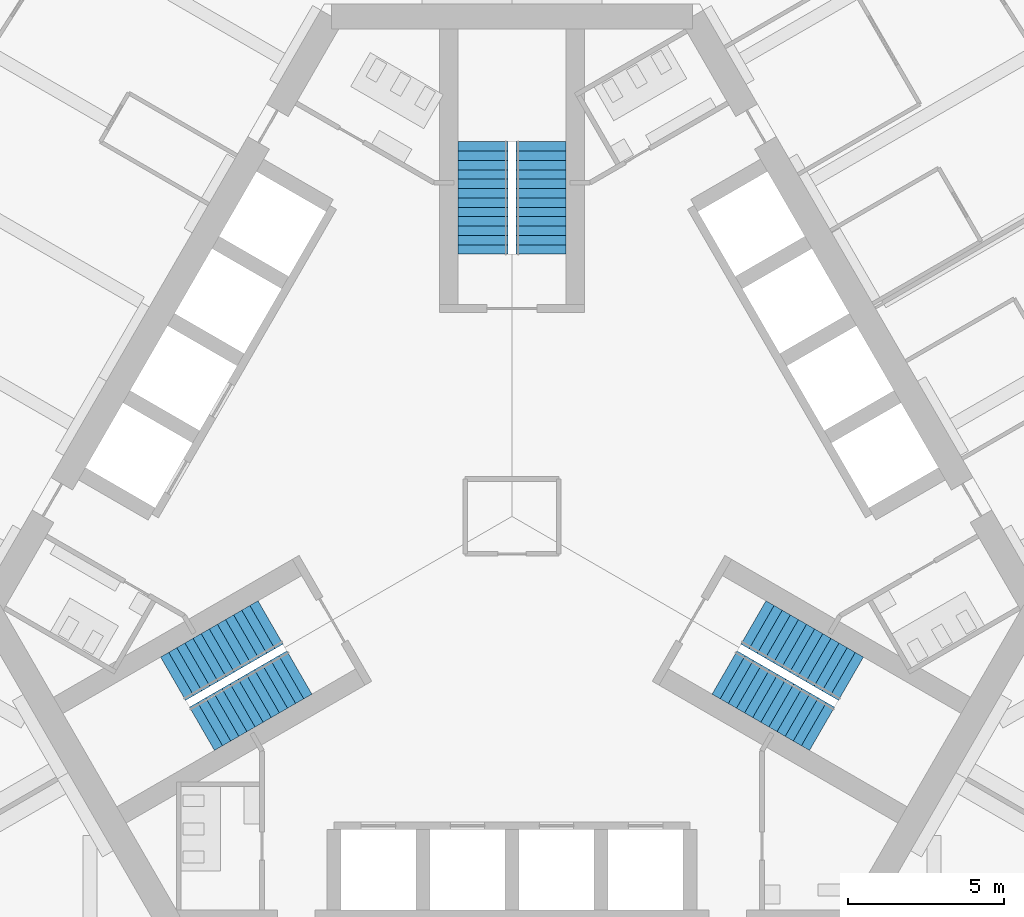
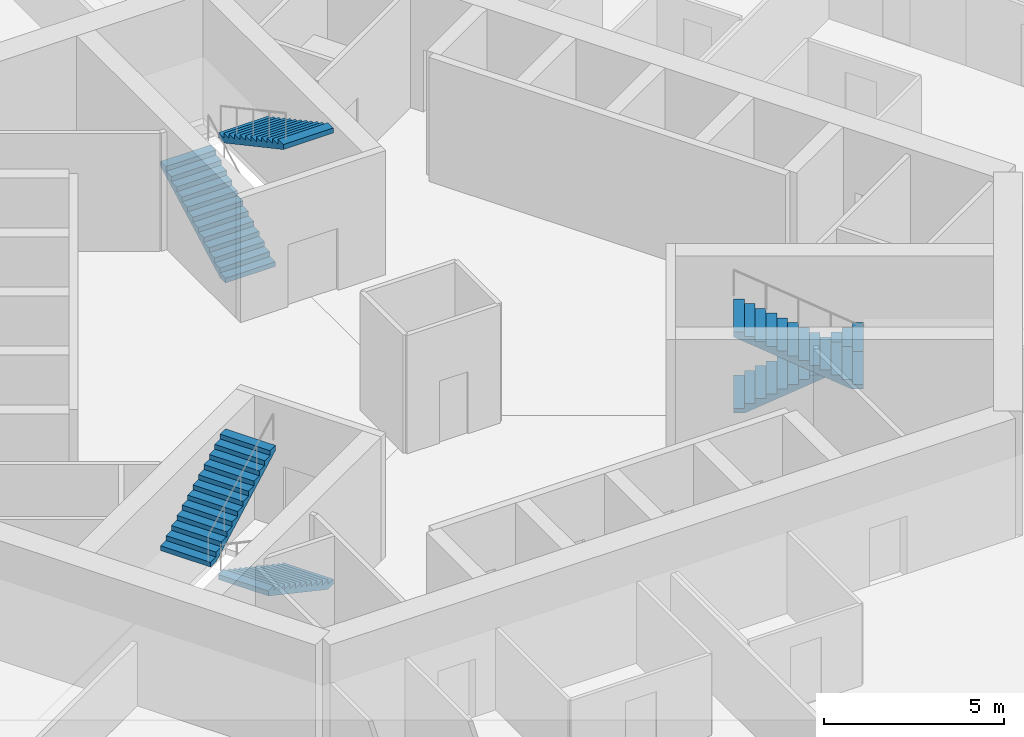
# One storey, part 14 of 19: 6 stair flights, 3 elements without a shape of their own.
"""IFC4 building model written with IfcOpenShell, lengths in metres."""

from ifc_helpers import new_model, si_unit, direction, frame, origin, place, context, subcontext, project, spatial, polyline, outline, extrude, material, type_object, element, aggregate, save


model = new_model("IFC4")

# Units and contexts
model_context = context("Model", 3, precision=1e-05, world=origin(), true_north=direction((0.0, 1.0)))
body_context = subcontext(model_context, "Body", "Model", "MODEL_VIEW")
ifc_project = project(units=[si_unit("LENGTHUNIT", "METRE"), si_unit("AREAUNIT", "SQUARE_METRE"), si_unit("VOLUMEUNIT", "CUBIC_METRE"), si_unit("PLANEANGLEUNIT", "RADIAN"), si_unit("MASSUNIT", "GRAM", prefix="KILO")], contexts=[model_context])

# Site, building, storey
site_placement = place(None, origin())
site = spatial("IfcSite", under=ifc_project, at=site_placement, CompositionType="ELEMENT")
building_placement = place(site_placement, origin())
building = spatial("IfcBuilding", under=site, at=building_placement, Name="Trefoil Bronze Tower", CompositionType="ELEMENT")
storey_placement = place(building_placement, frame((0.0, 0.0, 79.5)))
storey = spatial("IfcBuildingStorey", under=building, at=storey_placement, Name="L18", CompositionType="ELEMENT", Elevation=79.5)

# Stair, stair flights
ifc_material_1 = material(Name="Precast concrete B80", Category="concrete")
stair_type = type_object("IfcStairType", Name="Exit stair 26 risers", PredefinedType="HALF_TURN_STAIR", material=ifc_material_1)
stair_1_placement = place(storey_placement, origin())
stair_1 = element("IfcStair", 1, at=stair_1_placement, inside=storey, type_object=stair_type, Name="Stair ST1 L18", PredefinedType="HALF_TURN_STAIR")
ifc_material_2 = material(Name="Precast concrete B80", Category="concrete")
stair_flight_type = type_object("IfcStairFlightType", Name="Stair flight 1600", PredefinedType="STRAIGHT", material=ifc_material_2)
stair_flight_1_placement = place(storey_placement, frame((7.728515625, -3.39404296875, 0.0), z_axis=(0.0, 0.0, 1.0), x_axis=(0.866025403784, -0.5, 0.0)))
stair_flight_1 = element("IfcStairFlight", 2, at=stair_flight_1_placement, type_object=stair_flight_type, Name="ST1 flight 1", NumberOfRisers=13, NumberOfTreads=12, PredefinedType="STRAIGHT", RiserHeight=0.161538462, TreadLength=0.3, context=body_context, shape_type="SweptSolid", body=[
    extrude(outline(polyline([(0.0, 0.0), (0.0, 0.16162109375), (0.300048828125, 0.16162109375), (0.300048828125, 0.322998046875), (0.60009765625, 0.322998046875), (0.60009765625, 0.484619140625), (0.89990234375, 0.484619140625), (0.89990234375, 0.646240234375), (1.199951171875, 0.646240234375), (1.199951171875, 0.8076171875), (1.5, 0.8076171875), (1.5, 0.96923828125), (1.800048828125, 0.96923828125), (1.800048828125, 1.130859375), (2.10009765625, 1.130859375), (2.10009765625, 1.292236328125), (2.39990234375, 1.292236328125), (2.39990234375, 1.453857421875), (2.699951171875, 1.453857421875), (2.699951171875, 1.615478515625), (3.0, 1.615478515625), (3.0, 1.77685546875), (3.300048828125, 1.77685546875), (3.300048828125, 1.9384765625), (3.60009765625, 1.9384765625), (3.60009765625, 2.10009765625), (3.60009765625, 1.768310546875), (0.316162109375, 0.0), (0.0, 0.0)])), frame((0.0, 0.800048828125, 0.0), z_axis=(0.0, -1.0, 0.0), x_axis=(1.0, 0.0, 0.0)), (0.0, 0.0, 1.0), 1.60009765625),
])
stair_flight_2_placement = place(storey_placement, frame((9.921142578125, -6.796142578125, 2.10009765625), z_axis=(0.0, 0.0, 1.0), x_axis=(-0.866025403784, 0.5, 0.0)))
stair_flight_2 = element("IfcStairFlight", 3, at=stair_flight_2_placement, type_object=stair_flight_type, Name="ST1 flight 2", NumberOfRisers=13, NumberOfTreads=12, PredefinedType="STRAIGHT", RiserHeight=0.161538462, TreadLength=0.3, context=body_context, shape_type="SweptSolid", body=[
    extrude(outline(polyline([(0.0, 0.0), (0.0, 0.16162109375), (0.300048828125, 0.16162109375), (0.300048828125, 0.322998046875), (0.60009765625, 0.322998046875), (0.60009765625, 0.484619140625), (0.89990234375, 0.484619140625), (0.89990234375, 0.646240234375), (1.199951171875, 0.646240234375), (1.199951171875, 0.8076171875), (1.5, 0.8076171875), (1.5, 0.96923828125), (1.800048828125, 0.96923828125), (1.800048828125, 1.130859375), (2.10009765625, 1.130859375), (2.10009765625, 1.292236328125), (2.39990234375, 1.292236328125), (2.39990234375, 1.453857421875), (2.699951171875, 1.453857421875), (2.699951171875, 1.615478515625), (3.0, 1.615478515625), (3.0, 1.77685546875), (3.300048828125, 1.77685546875), (3.300048828125, 1.9384765625), (3.60009765625, 1.9384765625), (3.60009765625, 2.10009765625), (3.60009765625, 1.768310546875), (0.316162109375, 0.0), (0.0, 0.0)])), frame((0.0, 0.800048828125, 0.0), z_axis=(0.0, -1.0, 0.0), x_axis=(1.0, 0.0, 0.0)), (0.0, 0.0, 1.0), 1.60009765625),
])
aggregate(stair_1, [stair_flight_1, stair_flight_2])

stair_2_placement = place(storey_placement, origin())
stair_2 = element("IfcStair", 4, at=stair_2_placement, inside=storey, type_object=stair_type, Name="Stair ST2 L18", PredefinedType="HALF_TURN_STAIR")
stair_flight_3_placement = place(storey_placement, frame((-0.925048828125, 8.389892578125, 0.0), z_axis=(0.0, 0.0, 1.0), x_axis=(0.0, 1.0, 0.0)))
stair_flight_3 = element("IfcStairFlight", 5, at=stair_flight_3_placement, type_object=stair_flight_type, Name="ST2 flight 1", NumberOfRisers=13, NumberOfTreads=12, PredefinedType="STRAIGHT", RiserHeight=0.161538462, TreadLength=0.3, context=body_context, shape_type="SweptSolid", body=[
    extrude(outline(polyline([(0.0, 0.0), (0.0, 0.16162109375), (0.300048828125, 0.16162109375), (0.300048828125, 0.322998046875), (0.60009765625, 0.322998046875), (0.60009765625, 0.484619140625), (0.89990234375, 0.484619140625), (0.89990234375, 0.646240234375), (1.199951171875, 0.646240234375), (1.199951171875, 0.8076171875), (1.5, 0.8076171875), (1.5, 0.96923828125), (1.800048828125, 0.96923828125), (1.800048828125, 1.130859375), (2.10009765625, 1.130859375), (2.10009765625, 1.292236328125), (2.39990234375, 1.292236328125), (2.39990234375, 1.453857421875), (2.699951171875, 1.453857421875), (2.699951171875, 1.615478515625), (3.0, 1.615478515625), (3.0, 1.77685546875), (3.300048828125, 1.77685546875), (3.300048828125, 1.9384765625), (3.60009765625, 1.9384765625), (3.60009765625, 2.10009765625), (3.60009765625, 1.768310546875), (0.316162109375, 0.0), (0.0, 0.0)])), frame((0.0, 0.800048828125, 0.0), z_axis=(0.0, -1.0, 0.0), x_axis=(1.0, 0.0, 0.0)), (0.0, 0.0, 1.0), 1.60009765625),
])
stair_flight_4_placement = place(storey_placement, frame((0.925048828125, 11.989990234375, 2.10009765625), z_axis=(0.0, 0.0, 1.0), x_axis=(0.0, -1.0, 0.0)))
stair_flight_4 = element("IfcStairFlight", 6, at=stair_flight_4_placement, type_object=stair_flight_type, Name="ST2 flight 2", NumberOfRisers=13, NumberOfTreads=12, PredefinedType="STRAIGHT", RiserHeight=0.161538462, TreadLength=0.3, context=body_context, shape_type="SweptSolid", body=[
    extrude(outline(polyline([(0.0, 0.0), (0.0, 0.16162109375), (0.300048828125, 0.16162109375), (0.300048828125, 0.322998046875), (0.60009765625, 0.322998046875), (0.60009765625, 0.484619140625), (0.89990234375, 0.484619140625), (0.89990234375, 0.646240234375), (1.199951171875, 0.646240234375), (1.199951171875, 0.8076171875), (1.5, 0.8076171875), (1.5, 0.96923828125), (1.800048828125, 0.96923828125), (1.800048828125, 1.130859375), (2.10009765625, 1.130859375), (2.10009765625, 1.292236328125), (2.39990234375, 1.292236328125), (2.39990234375, 1.453857421875), (2.699951171875, 1.453857421875), (2.699951171875, 1.615478515625), (3.0, 1.615478515625), (3.0, 1.77685546875), (3.300048828125, 1.77685546875), (3.300048828125, 1.9384765625), (3.60009765625, 1.9384765625), (3.60009765625, 2.10009765625), (3.60009765625, 1.768310546875), (0.316162109375, 0.0), (0.0, 0.0)])), frame((0.0, 0.800048828125, 0.0), z_axis=(0.0, -1.0, 0.0), x_axis=(1.0, 0.0, 0.0)), (0.0, 0.0, 1.0), 1.60009765625),
])
aggregate(stair_2, [stair_flight_3, stair_flight_4])

stair_3_placement = place(storey_placement, origin())
stair_3 = element("IfcStair", 7, at=stair_3_placement, inside=storey, type_object=stair_type, Name="Stair ST3 L18", PredefinedType="HALF_TURN_STAIR")
stair_flight_5_placement = place(storey_placement, frame((-6.803466796875, -4.99609375, 0.0), z_axis=(0.0, 0.0, 1.0), x_axis=(-0.866025403784, -0.5, 0.0)))
stair_flight_5 = element("IfcStairFlight", 8, at=stair_flight_5_placement, type_object=stair_flight_type, Name="ST3 flight 1", NumberOfRisers=13, NumberOfTreads=12, PredefinedType="STRAIGHT", RiserHeight=0.161538462, TreadLength=0.3, context=body_context, shape_type="SweptSolid", body=[
    extrude(outline(polyline([(0.0, 0.0), (0.0, 0.16162109375), (0.300048828125, 0.16162109375), (0.300048828125, 0.322998046875), (0.60009765625, 0.322998046875), (0.60009765625, 0.484619140625), (0.89990234375, 0.484619140625), (0.89990234375, 0.646240234375), (1.199951171875, 0.646240234375), (1.199951171875, 0.8076171875), (1.5, 0.8076171875), (1.5, 0.96923828125), (1.800048828125, 0.96923828125), (1.800048828125, 1.130859375), (2.10009765625, 1.130859375), (2.10009765625, 1.292236328125), (2.39990234375, 1.292236328125), (2.39990234375, 1.453857421875), (2.699951171875, 1.453857421875), (2.699951171875, 1.615478515625), (3.0, 1.615478515625), (3.0, 1.77685546875), (3.300048828125, 1.77685546875), (3.300048828125, 1.9384765625), (3.60009765625, 1.9384765625), (3.60009765625, 2.10009765625), (3.60009765625, 1.768310546875), (0.316162109375, 0.0), (0.0, 0.0)])), frame((0.0, 0.800048828125, 0.0), z_axis=(0.0, -1.0, 0.0), x_axis=(1.0, 0.0, 0.0)), (0.0, 0.0, 1.0), 1.60009765625),
])
stair_flight_6_placement = place(storey_placement, frame((-10.84619140625, -5.19384765625, 2.10009765625), z_axis=(0.0, 0.0, 1.0), x_axis=(0.866025403784, 0.5, 0.0)))
stair_flight_6 = element("IfcStairFlight", 9, at=stair_flight_6_placement, type_object=stair_flight_type, Name="ST3 flight 2", NumberOfRisers=13, NumberOfTreads=12, PredefinedType="STRAIGHT", RiserHeight=0.161538462, TreadLength=0.3, context=body_context, shape_type="SweptSolid", body=[
    extrude(outline(polyline([(0.0, 0.0), (0.0, 0.16162109375), (0.300048828125, 0.16162109375), (0.300048828125, 0.322998046875), (0.60009765625, 0.322998046875), (0.60009765625, 0.484619140625), (0.89990234375, 0.484619140625), (0.89990234375, 0.646240234375), (1.199951171875, 0.646240234375), (1.199951171875, 0.8076171875), (1.5, 0.8076171875), (1.5, 0.96923828125), (1.800048828125, 0.96923828125), (1.800048828125, 1.130859375), (2.10009765625, 1.130859375), (2.10009765625, 1.292236328125), (2.39990234375, 1.292236328125), (2.39990234375, 1.453857421875), (2.699951171875, 1.453857421875), (2.699951171875, 1.615478515625), (3.0, 1.615478515625), (3.0, 1.77685546875), (3.300048828125, 1.77685546875), (3.300048828125, 1.9384765625), (3.60009765625, 1.9384765625), (3.60009765625, 2.10009765625), (3.60009765625, 1.768310546875), (0.316162109375, 0.0), (0.0, 0.0)])), frame((0.0, 0.800048828125, 0.0), z_axis=(0.0, -1.0, 0.0), x_axis=(1.0, 0.0, 0.0)), (0.0, 0.0, 1.0), 1.60009765625),
])
aggregate(stair_3, [stair_flight_5, stair_flight_6])

save(model, "model.ifc")
